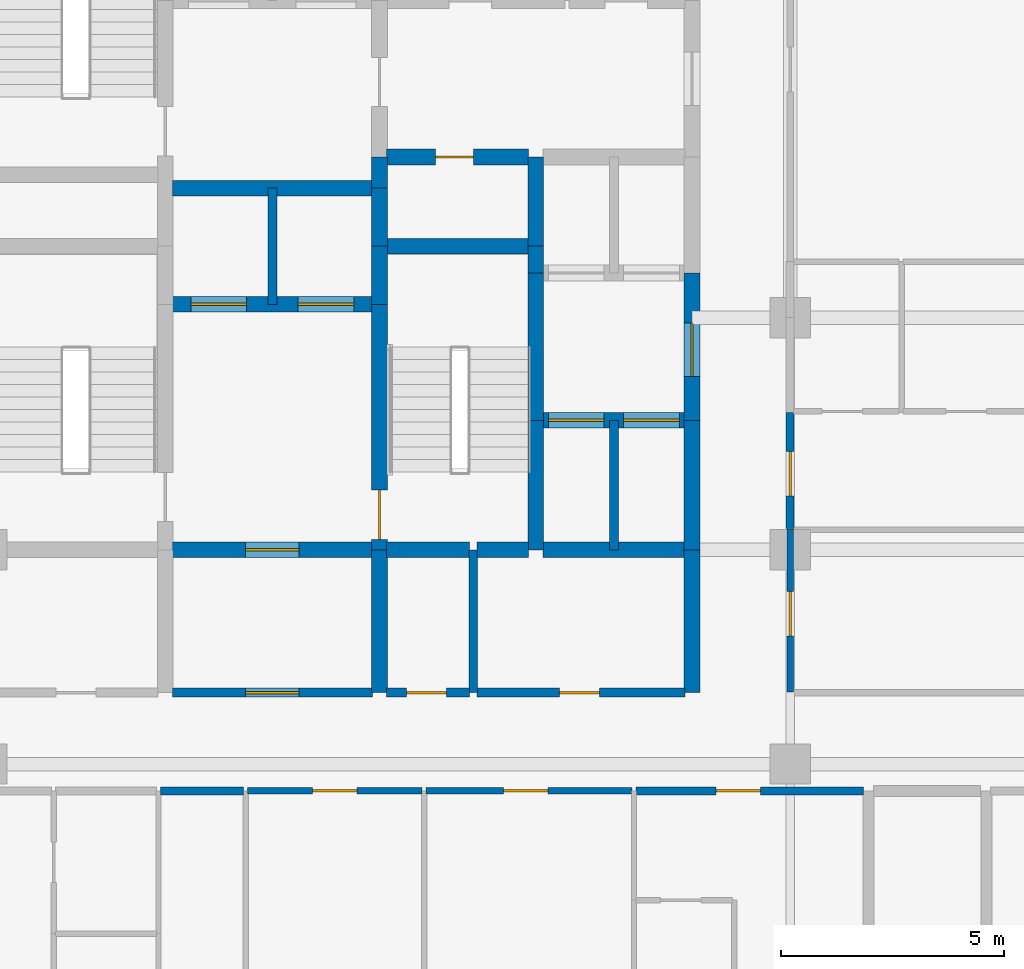
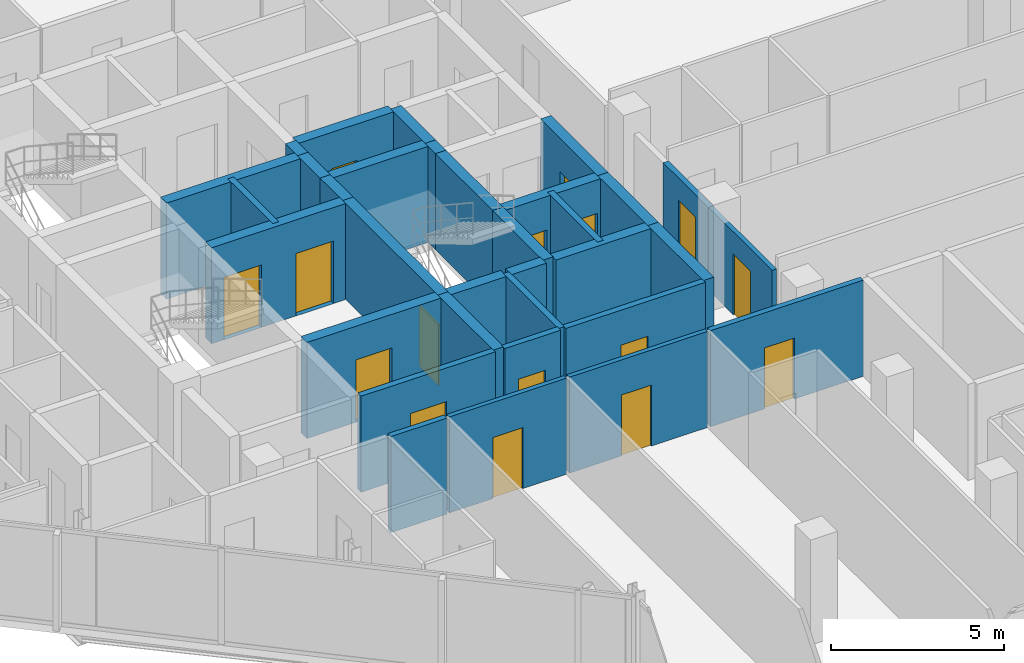
# One storey, part 26 of 31: 33 walls, 16 doors, 16 openings.
"""IFC4 building model written with IfcOpenShell, lengths in metres."""

from ifc_helpers import new_model, si_unit, direction, frame, frame_2d, origin, place, context, subcontext, project, spatial, rectangle, extrude, material, layer, layer_set, type_object, element, fill, save


model = new_model("IFC4")

# Units and contexts
model_context = context("Model", 3, precision=1e-05, world=origin(), true_north=direction((0.0, 1.0)))
body_context = subcontext(model_context, "Body", "Model", "MODEL_VIEW")
ifc_project = project(units=[si_unit("LENGTHUNIT", "METRE"), si_unit("AREAUNIT", "SQUARE_METRE"), si_unit("VOLUMEUNIT", "CUBIC_METRE"), si_unit("PLANEANGLEUNIT", "RADIAN"), si_unit("MASSUNIT", "GRAM", prefix="KILO")], contexts=[model_context])

# Site, building, storey
site_placement = place(None, origin())
site = spatial("IfcSite", under=ifc_project, at=site_placement, CompositionType="ELEMENT")
building_placement = place(site_placement, origin())
building = spatial("IfcBuilding", under=site, at=building_placement, Name="Keshet Zoharim Tower", CompositionType="ELEMENT")
storey_placement = place(building_placement, frame((0.0, 0.0, 140.89990234375)))
storey = spatial("IfcBuildingStorey", under=building, at=storey_placement, Name="L34", CompositionType="ELEMENT", Elevation=140.89990234375)

# Wall, opening, door
ifc_material_1 = material(Name="Gypsum Plasterboard", Category="gypsum")
ifc_layer_1 = layer(ifc_material_1, 0.14990234375)
ifc_layer_set_1 = layer_set([ifc_layer_1], Name="Gypsum Plasterboard")
wall_type_1 = type_object("IfcWallType", Name="WL-CLIN-150", PredefinedType="STANDARD", material=ifc_layer_set_1)
wall_1_placement = place(storey_placement, frame((33.0, 19.510009765625, 0.0), z_axis=(0.0, 0.0, 1.0), x_axis=(0.0, 1.0, 0.0)))
wall_1 = element("IfcWall", 1, at=wall_1_placement, inside=storey, type_object=wall_type_1, Name="L34 Interior Wall 069", PredefinedType="STANDARD", context=body_context, shape_type="SweptSolid", body=[
    extrude(rectangle(XDim=3.659912109375, YDim=0.14990234375, at=frame_2d((1.830078125, 0.0))), origin(), (0.0, 0.0, 1.0), 2.93505859375),
])
opening_1_placement = place(wall_1_placement, frame((1.258056640625, 0.0, 0.0)))
opening_1 = element("IfcOpeningElement", 2, at=opening_1_placement, cuts=wall_1, Name="Opening D-F310", PredefinedType="OPENING", context=body_context, shape_type="SweptSolid", body=[
    extrude(rectangle(XDim=1.0, YDim=2.14990234375, at=frame_2d((0.5, 1.074951171875))), frame((0.0, 0.0849609375, 0.0), z_axis=(0.0, -1.0, 0.0), x_axis=(1.0, 0.0, 0.0)), (0.0, 0.0, 1.0), 0.169921875),
])
ifc_material_2 = material(Name="Hardwood Timber", Category="wood")
door_type_1 = type_object("IfcDoorType", Name="DR-FD30-100", OperationType="NOTDEFINED", PredefinedType="DOOR", material=ifc_material_2)
door_1_placement = place(opening_1_placement, origin())
door_1 = element("IfcDoor", 3, at=door_1_placement, inside=storey, type_object=door_type_1, Name="L34 South East Residents Services Suite Door 2", OperationType="SINGLE_SWING_RIGHT", OverallHeight=2.14990234375, OverallWidth=1.0, PredefinedType="DOOR", context=body_context, shape_type="SweptSolid", body=[
    extrude(rectangle(XDim=1.0, YDim=2.14990234375, at=frame_2d((0.5, 1.074951171875))), frame((0.0, 0.02490234375, 0.0), z_axis=(0.0, -1.0, 0.0), x_axis=(1.0, 0.0, 0.0)), (0.0, 0.0, 1.0), 0.050048828125),
])
fill(opening_1, door_1)

wall_2_placement = place(storey_placement, frame((20.844970703125, 17.300048828125, 0.0), z_axis=(0.0, 0.0, 1.0), x_axis=(1.0, 0.0, 0.0)))
wall_2 = element("IfcWall", 4, at=wall_2_placement, inside=storey, type_object=wall_type_1, Name="L34 Interior Wall 132", PredefinedType="STANDARD", context=body_context, shape_type="SweptSolid", body=[
    extrude(rectangle(XDim=3.909912109375, YDim=0.14990234375, at=frame_2d((1.955078125, 0.0))), origin(), (0.0, 0.0, 1.0), 3.385009765625),
])
opening_2_placement = place(wall_2_placement, frame((1.455078125, 0.0, 0.0)))
opening_2 = element("IfcOpeningElement", 5, at=opening_2_placement, cuts=wall_2, Name="Opening D-F310", PredefinedType="OPENING", context=body_context, shape_type="SweptSolid", body=[
    extrude(rectangle(XDim=1.0, YDim=2.14990234375, at=frame_2d((0.5, 1.074951171875))), frame((0.0, 0.0849609375, 0.0), z_axis=(0.0, -1.0, 0.0), x_axis=(1.0, 0.0, 0.0)), (0.0, 0.0, 1.0), 0.169921875),
])
door_2_placement = place(opening_2_placement, origin())
door_2 = element("IfcDoor", 6, at=door_2_placement, inside=storey, type_object=door_type_1, Name="L34 Residents Music Studio Door", OperationType="SINGLE_SWING_RIGHT", OverallHeight=2.14990234375, OverallWidth=1.0, PredefinedType="DOOR", context=body_context, shape_type="SweptSolid", body=[
    extrude(rectangle(XDim=1.0, YDim=2.14990234375, at=frame_2d((0.5, 1.074951171875))), frame((0.0, 0.02490234375, 0.0), z_axis=(0.0, -1.0, 0.0), x_axis=(1.0, 0.0, 0.0)), (0.0, 0.0, 1.0), 0.050048828125),
])
fill(opening_2, door_2)

wall_3_placement = place(storey_placement, frame((24.844970703125, 17.300048828125, 0.0), z_axis=(0.0, 0.0, 1.0), x_axis=(1.0, 0.0, 0.0)))
wall_3 = element("IfcWall", 7, at=wall_3_placement, inside=storey, type_object=wall_type_1, Name="L34 Interior Wall 133", PredefinedType="STANDARD", context=body_context, shape_type="SweptSolid", body=[
    extrude(rectangle(XDim=4.610107421875, YDim=0.14990234375, at=frame_2d((2.30517578125, 0.0))), origin(), (0.0, 0.0, 1.0), 3.385009765625),
])
opening_3_placement = place(wall_3_placement, frame((1.73388671875, 0.0, 0.0)))
opening_3 = element("IfcOpeningElement", 8, at=opening_3_placement, cuts=wall_3, Name="Opening D-F310", PredefinedType="OPENING", context=body_context, shape_type="SweptSolid", body=[
    extrude(rectangle(XDim=1.0, YDim=2.14990234375, at=frame_2d((0.5, 1.074951171875))), frame((0.0, 0.0849609375, 0.0), z_axis=(0.0, -1.0, 0.0), x_axis=(1.0, 0.0, 0.0)), (0.0, 0.0, 1.0), 0.169921875),
])
door_3_placement = place(opening_3_placement, origin())
door_3 = element("IfcDoor", 9, at=door_3_placement, inside=storey, type_object=door_type_1, Name="L34 Residents Art Workshop Door", OperationType="SINGLE_SWING_LEFT", OverallHeight=2.14990234375, OverallWidth=1.0, PredefinedType="DOOR", context=body_context, shape_type="SweptSolid", body=[
    extrude(rectangle(XDim=1.0, YDim=2.14990234375, at=frame_2d((0.5, 1.074951171875))), frame((0.0, 0.02490234375, 0.0), z_axis=(0.0, -1.0, 0.0), x_axis=(1.0, 0.0, 0.0)), (0.0, 0.0, 1.0), 0.050048828125),
])
fill(opening_3, door_3)

# Wall
ifc_material_3 = material(Name="Concrete C60/75", Category="concrete")
ifc_layer_2 = layer(ifc_material_3, 0.35009765625)
ifc_layer_set_2 = layer_set([ifc_layer_2], Name="Concrete C60/75")
wall_type_2 = type_object("IfcWallType", Name="WL-CORE-350", PredefinedType="SHEAR", material=ifc_layer_set_2)
wall_4_placement = place(storey_placement, frame((23.800048828125, 19.5, 0.0), z_axis=(0.0, 0.0, 1.0), x_axis=(0.0, 1.0, 0.0)))
element("IfcWall", 10, at=wall_4_placement, inside=storey, type_object=wall_type_2, Name="L34 Core Shear Wall 034", PredefinedType="SHEAR", context=body_context, shape_type="SweptSolid", body=[
    extrude(rectangle(XDim=3.199951171875, YDim=0.35009765625, at=frame_2d((1.60009765625, 0.0))), origin(), (0.0, 0.0, 1.0), 3.385009765625),
])

# Wall, opening, door
wall_5_placement = place(storey_placement, frame((23.800048828125, 22.699951171875, 0.0), z_axis=(0.0, 0.0, 1.0), x_axis=(0.0, 1.0, 0.0)))
wall_5 = element("IfcWall", 11, at=wall_5_placement, inside=storey, type_object=wall_type_2, Name="L34 Core Shear Wall 035", PredefinedType="SHEAR", context=body_context, shape_type="SweptSolid", body=[
    extrude(rectangle(XDim=5.5, YDim=0.35009765625, at=frame_2d((2.75, 0.0))), origin(), (0.0, 0.0, 1.0), 3.385009765625),
])
opening_4_placement = place(wall_5_placement, frame((0.235107421875, 0.0, 0.0)))
opening_4 = element("IfcOpeningElement", 12, at=opening_4_placement, cuts=wall_5, Name="Opening D-F611", PredefinedType="OPENING", context=body_context, shape_type="SweptSolid", body=[
    extrude(rectangle(XDim=1.10009765625, YDim=2.14990234375, at=frame_2d((0.550048828125, 1.074951171875))), frame((0.0, 0.18505859375, 0.0), z_axis=(0.0, -1.0, 0.0), x_axis=(1.0, 0.0, 0.0)), (0.0, 0.0, 1.0), 0.3701171875),
])
door_type_2 = type_object("IfcDoorType", Name="DR-FD60-110", OperationType="NOTDEFINED", PredefinedType="DOOR", material=ifc_material_2)
door_4_placement = place(opening_4_placement, frame((1.10009765625, 0.0, 0.0), z_axis=(0.0, 0.0, 1.0), x_axis=(-1.0, 0.0, 0.0)))
door_4 = element("IfcDoor", 13, at=door_4_placement, inside=storey, type_object=door_type_2, Name="L34 Exit Stair ST-03 Fire Door", OperationType="SINGLE_SWING_RIGHT", OverallHeight=2.14990234375, OverallWidth=1.10009765625, PredefinedType="DOOR", context=body_context, shape_type="SweptSolid", body=[
    extrude(rectangle(XDim=1.10009765625, YDim=2.14990234375, at=frame_2d((0.550048828125, 1.074951171875))), frame((0.0, 0.02490234375, 0.0), z_axis=(0.0, -1.0, 0.0), x_axis=(1.0, 0.0, 0.0)), (0.0, 0.0, 1.0), 0.050048828125),
])
fill(opening_4, door_4)

# Walls
for number, where, z_axis, x_axis, name in (
    (14, (23.800048828125, 28.199951171875, 0.0), (0.0, 0.0, 1.0), (0.0, 1.0, 0.0), "L34 Core Shear Wall 036"),
    (15, (23.800048828125, 29.5, 0.0), (0.0, 0.0, 1.0), (0.0, 1.0, 0.0), "L34 Core Shear Wall 037"),
):
    element("IfcWall", number, at=place(storey_placement, frame(where, z_axis=z_axis, x_axis=x_axis)), inside=storey, type_object=wall_type_2, Name=name, PredefinedType="SHEAR", context=body_context, shape_type="SweptSolid", body=[
        extrude(rectangle(XDim=1.300048828125, YDim=0.35009765625, at=frame_2d((0.64990234375, 0.0))), origin(), (0.0, 0.0, 1.0), 3.385009765625),
    ])
wall_6_placement = place(storey_placement, frame((23.800048828125, 30.800048828125, 0.0), z_axis=(0.0, 0.0, 1.0), x_axis=(0.0, 1.0, 0.0)))
element("IfcWall", 16, at=wall_6_placement, inside=storey, type_object=wall_type_2, Name="L34 Core Shear Wall 038", PredefinedType="SHEAR", context=body_context, shape_type="SweptSolid", body=[
    extrude(rectangle(XDim=0.699951171875, YDim=0.35009765625, at=frame_2d((0.35009765625, 0.0))), origin(), (0.0, 0.0, 1.0), 3.385009765625),
])
wall_7_placement = place(storey_placement, frame((27.300048828125, 22.699951171875, 0.0), z_axis=(0.0, 0.0, 1.0), x_axis=(0.0, 1.0, 0.0)))
element("IfcWall", 17, at=wall_7_placement, inside=storey, type_object=wall_type_2, Name="L34 Core Shear Wall 046", PredefinedType="SHEAR", context=body_context, shape_type="SweptSolid", body=[
    extrude(rectangle(XDim=2.900146484375, YDim=0.35009765625, at=frame_2d((1.4501953125, 0.0))), origin(), (0.0, 0.0, 1.0), 3.385009765625),
])
wall_8_placement = place(storey_placement, frame((27.300048828125, 25.60009765625, 0.0), z_axis=(0.0, 0.0, 1.0), x_axis=(0.0, 1.0, 0.0)))
element("IfcWall", 18, at=wall_8_placement, inside=storey, type_object=wall_type_2, Name="L34 Core Shear Wall 047", PredefinedType="SHEAR", context=body_context, shape_type="SweptSolid", body=[
    extrude(rectangle(XDim=3.2998046875, YDim=0.35009765625, at=frame_2d((1.64990234375, 0.0))), origin(), (0.0, 0.0, 1.0), 3.385009765625),
])
wall_9_placement = place(storey_placement, frame((27.300048828125, 28.89990234375, 0.0), z_axis=(0.0, 0.0, 1.0), x_axis=(0.0, 1.0, 0.0)))
element("IfcWall", 19, at=wall_9_placement, inside=storey, type_object=wall_type_2, Name="L34 Core Shear Wall 048", PredefinedType="SHEAR", context=body_context, shape_type="SweptSolid", body=[
    extrude(rectangle(XDim=0.60009765625, YDim=0.35009765625, at=frame_2d((0.300048828125, 0.0))), origin(), (0.0, 0.0, 1.0), 3.385009765625),
])
wall_10_placement = place(storey_placement, frame((27.300048828125, 29.5, 0.0), z_axis=(0.0, 0.0, 1.0), x_axis=(0.0, 1.0, 0.0)))
element("IfcWall", 20, at=wall_10_placement, inside=storey, type_object=wall_type_2, Name="L34 Core Shear Wall 049", PredefinedType="SHEAR", context=body_context, shape_type="SweptSolid", body=[
    extrude(rectangle(XDim=2.0, YDim=0.35009765625, at=frame_2d((1.0, 0.0))), origin(), (0.0, 0.0, 1.0), 3.385009765625),
])
wall_11_placement = place(storey_placement, frame((30.800048828125, 19.5, 0.0), z_axis=(0.0, 0.0, 1.0), x_axis=(0.0, 1.0, 0.0)))
element("IfcWall", 21, at=wall_11_placement, inside=storey, type_object=wall_type_2, Name="L34 Core Shear Wall 057", PredefinedType="SHEAR", context=body_context, shape_type="SweptSolid", body=[
    extrude(rectangle(XDim=3.199951171875, YDim=0.35009765625, at=frame_2d((1.60009765625, 0.0))), origin(), (0.0, 0.0, 1.0), 3.385009765625),
])
wall_12_placement = place(storey_placement, frame((30.800048828125, 22.699951171875, 0.0), z_axis=(0.0, 0.0, 1.0), x_axis=(0.0, 1.0, 0.0)))
element("IfcWall", 22, at=wall_12_placement, inside=storey, type_object=wall_type_2, Name="L34 Core Shear Wall 058", PredefinedType="SHEAR", context=body_context, shape_type="SweptSolid", body=[
    extrude(rectangle(XDim=2.900146484375, YDim=0.35009765625, at=frame_2d((1.4501953125, 0.0))), origin(), (0.0, 0.0, 1.0), 3.385009765625),
])

# Wall, opening, door
wall_13_placement = place(storey_placement, frame((30.800048828125, 25.60009765625, 0.0), z_axis=(0.0, 0.0, 1.0), x_axis=(0.0, 1.0, 0.0)))
wall_13 = element("IfcWall", 23, at=wall_13_placement, inside=storey, type_object=wall_type_2, Name="L34 Core Shear Wall 059", PredefinedType="SHEAR", context=body_context, shape_type="SweptSolid", body=[
    extrude(rectangle(XDim=3.2998046875, YDim=0.35009765625, at=frame_2d((1.64990234375, 0.0))), origin(), (0.0, 0.0, 1.0), 3.385009765625),
])
opening_5_placement = place(wall_13_placement, frame((0.97802734375, 0.0, 0.0)))
opening_5 = element("IfcOpeningElement", 24, at=opening_5_placement, cuts=wall_13, Name="Opening D-F612", PredefinedType="OPENING", context=body_context, shape_type="SweptSolid", body=[
    extrude(rectangle(XDim=1.199951171875, YDim=2.199951171875, at=frame_2d((0.60009765625, 1.10009765625))), frame((0.0, 0.18505859375, 0.0), z_axis=(0.0, -1.0, 0.0), x_axis=(1.0, 0.0, 0.0)), (0.0, 0.0, 1.0), 0.3701171875),
])
door_type_3 = type_object("IfcDoorType", Name="DR-FD60-120", OperationType="NOTDEFINED", PredefinedType="DOOR", material=ifc_material_2)
door_5_placement = place(opening_5_placement, origin())
door_5 = element("IfcDoor", 25, at=door_5_placement, inside=storey, type_object=door_type_3, Name="L34 East Lift Lobby Fire Door", OperationType="SINGLE_SWING_RIGHT", OverallHeight=2.199951171875, OverallWidth=1.199951171875, PredefinedType="DOOR", context=body_context, shape_type="SweptSolid", body=[
    extrude(rectangle(XDim=1.199951171875, YDim=2.199951171875, at=frame_2d((0.60009765625, 1.10009765625))), frame((0.0, 0.02490234375, 0.0), z_axis=(0.0, -1.0, 0.0), x_axis=(1.0, 0.0, 0.0)), (0.0, 0.0, 1.0), 0.050048828125),
])
fill(opening_5, door_5)

wall_14_placement = place(storey_placement, frame((19.159912109375, 22.699951171875, 0.0), z_axis=(0.0, 0.0, 1.0), x_axis=(1.0, 0.0, 0.0)))
wall_14 = element("IfcWall", 26, at=wall_14_placement, inside=storey, type_object=wall_type_2, Name="L34 Core Shear Wall 152", PredefinedType="SHEAR", context=body_context, shape_type="SweptSolid", body=[
    extrude(rectangle(XDim=4.47998046875, YDim=0.35009765625, at=frame_2d((2.239990234375, 0.0))), origin(), (0.0, 0.0, 1.0), 3.385009765625),
])
opening_6_placement = place(wall_14_placement, frame((1.639892578125, 0.0, 0.0)))
opening_6 = element("IfcOpeningElement", 27, at=opening_6_placement, cuts=wall_14, Name="Opening D-F612", PredefinedType="OPENING", context=body_context, shape_type="SweptSolid", body=[
    extrude(rectangle(XDim=1.199951171875, YDim=2.199951171875, at=frame_2d((0.60009765625, 1.10009765625))), frame((0.0, 0.18505859375, 0.0), z_axis=(0.0, -1.0, 0.0), x_axis=(1.0, 0.0, 0.0)), (0.0, 0.0, 1.0), 0.3701171875),
])
door_6_placement = place(opening_6_placement, origin())
door_6 = element("IfcDoor", 28, at=door_6_placement, inside=storey, type_object=door_type_3, Name="L34 South Core Lobby Fire Door", OperationType="SINGLE_SWING_LEFT", OverallHeight=2.199951171875, OverallWidth=1.199951171875, PredefinedType="DOOR", context=body_context, shape_type="SweptSolid", body=[
    extrude(rectangle(XDim=1.199951171875, YDim=2.199951171875, at=frame_2d((0.60009765625, 1.10009765625))), frame((0.0, 0.02490234375, 0.0), z_axis=(0.0, -1.0, 0.0), x_axis=(1.0, 0.0, 0.0)), (0.0, 0.0, 1.0), 0.050048828125),
])
fill(opening_6, door_6)

# Walls
wall_15_placement = place(storey_placement, frame((23.9599609375, 22.699951171875, 0.0), z_axis=(0.0, 0.0, 1.0), x_axis=(1.0, 0.0, 0.0)))
element("IfcWall", 29, at=wall_15_placement, inside=storey, type_object=wall_type_2, Name="L34 Core Shear Wall 153", PredefinedType="SHEAR", context=body_context, shape_type="SweptSolid", body=[
    extrude(rectangle(XDim=1.85498046875, YDim=0.35009765625, at=frame_2d((0.927490234375, 0.0))), origin(), (0.0, 0.0, 1.0), 3.385009765625),
])
wall_16_placement = place(storey_placement, frame((25.985107421875, 22.699951171875, 0.0), z_axis=(0.0, 0.0, 1.0), x_axis=(1.0, 0.0, 0.0)))
element("IfcWall", 30, at=wall_16_placement, inside=storey, type_object=wall_type_2, Name="L34 Core Shear Wall 154", PredefinedType="SHEAR", context=body_context, shape_type="SweptSolid", body=[
    extrude(rectangle(XDim=1.15478515625, YDim=0.35009765625, at=frame_2d((0.577392578125, 0.0))), origin(), (0.0, 0.0, 1.0), 3.385009765625),
])
wall_17_placement = place(storey_placement, frame((27.4599609375, 22.699951171875, 0.0), z_axis=(0.0, 0.0, 1.0), x_axis=(1.0, 0.0, 0.0)))
element("IfcWall", 31, at=wall_17_placement, inside=storey, type_object=wall_type_2, Name="L34 Core Shear Wall 155", PredefinedType="SHEAR", context=body_context, shape_type="SweptSolid", body=[
    extrude(rectangle(XDim=3.179931640625, YDim=0.35009765625, at=frame_2d((1.58984375, 0.0))), origin(), (0.0, 0.0, 1.0), 3.385009765625),
])

# Wall, openings, doors
wall_18_placement = place(storey_placement, frame((27.4599609375, 25.60009765625, 0.0), z_axis=(0.0, 0.0, 1.0), x_axis=(1.0, 0.0, 0.0)))
wall_18 = element("IfcWall", 32, at=wall_18_placement, inside=storey, type_object=wall_type_2, Name="L34 Core Shear Wall 159", PredefinedType="SHEAR", context=body_context, shape_type="SweptSolid", body=[
    extrude(rectangle(XDim=3.179931640625, YDim=0.35009765625, at=frame_2d((1.58984375, 0.0))), origin(), (0.0, 0.0, 1.0), 3.385009765625),
])
opening_7_placement = place(wall_18_placement, frame((0.1201171875, 0.0, 0.0)))
opening_7 = element("IfcOpeningElement", 33, at=opening_7_placement, cuts=wall_18, Name="Opening LD-01", PredefinedType="OPENING", context=body_context, shape_type="SweptSolid", body=[
    extrude(rectangle(XDim=1.25, YDim=2.199951171875, at=frame_2d((0.625, 1.10009765625))), frame((0.0, 0.18505859375, 0.0), z_axis=(0.0, -1.0, 0.0), x_axis=(1.0, 0.0, 0.0)), (0.0, 0.0, 1.0), 0.3701171875),
])
opening_8_placement = place(wall_18_placement, frame((1.81005859375, 0.0, 0.0)))
opening_8 = element("IfcOpeningElement", 34, at=opening_8_placement, cuts=wall_18, Name="Opening LD-01", PredefinedType="OPENING", context=body_context, shape_type="SweptSolid", body=[
    extrude(rectangle(XDim=1.25, YDim=2.199951171875, at=frame_2d((0.625, 1.10009765625))), frame((0.0, 0.18505859375, 0.0), z_axis=(0.0, -1.0, 0.0), x_axis=(1.0, 0.0, 0.0)), (0.0, 0.0, 1.0), 0.3701171875),
])
ifc_material_4 = material(Name="Steel S355", Category="steel")
door_type_4 = type_object("IfcDoorType", Name="DR-LD01-125", OperationType="DOUBLE_DOOR_SLIDING", PredefinedType="DOOR", material=ifc_material_4)
door_7_placement = place(opening_7_placement, origin())
door_7 = element("IfcDoor", 35, at=door_7_placement, inside=storey, type_object=door_type_4, Name="L34 Passenger Lift Landing Door LF-07", OperationType="DOUBLE_DOOR_SLIDING", OverallHeight=2.199951171875, OverallWidth=1.25, PredefinedType="DOOR", context=body_context, shape_type="SweptSolid", body=[
    extrude(rectangle(XDim=1.25, YDim=2.199951171875, at=frame_2d((0.625, 1.10009765625))), frame((0.0, 0.02490234375, 0.0), z_axis=(0.0, -1.0, 0.0), x_axis=(1.0, 0.0, 0.0)), (0.0, 0.0, 1.0), 0.050048828125),
])
fill(opening_7, door_7)
door_8_placement = place(opening_8_placement, origin())
door_8 = element("IfcDoor", 36, at=door_8_placement, inside=storey, type_object=door_type_4, Name="L34 Passenger Lift Landing Door LF-08", OperationType="DOUBLE_DOOR_SLIDING", OverallHeight=2.199951171875, OverallWidth=1.25, PredefinedType="DOOR", context=body_context, shape_type="SweptSolid", body=[
    extrude(rectangle(XDim=1.25, YDim=2.199951171875, at=frame_2d((0.625, 1.10009765625))), frame((0.0, 0.02490234375, 0.0), z_axis=(0.0, -1.0, 0.0), x_axis=(1.0, 0.0, 0.0)), (0.0, 0.0, 1.0), 0.050048828125),
])
fill(opening_8, door_8)

wall_19_placement = place(storey_placement, frame((19.159912109375, 28.199951171875, 0.0), z_axis=(0.0, 0.0, 1.0), x_axis=(1.0, 0.0, 0.0)))
wall_19 = element("IfcWall", 37, at=wall_19_placement, inside=storey, type_object=wall_type_2, Name="L34 Core Shear Wall 165", PredefinedType="SHEAR", context=body_context, shape_type="SweptSolid", body=[
    extrude(rectangle(XDim=4.47998046875, YDim=0.35009765625, at=frame_2d((2.239990234375, 0.0))), origin(), (0.0, 0.0, 1.0), 3.385009765625),
])
opening_9_placement = place(wall_19_placement, frame((0.4150390625, 0.0, 0.0)))
opening_9 = element("IfcOpeningElement", 38, at=opening_9_placement, cuts=wall_19, Name="Opening LD-01", PredefinedType="OPENING", context=body_context, shape_type="SweptSolid", body=[
    extrude(rectangle(XDim=1.25, YDim=2.199951171875, at=frame_2d((0.625, 1.10009765625))), frame((0.0, 0.18505859375, 0.0), z_axis=(0.0, -1.0, 0.0), x_axis=(1.0, 0.0, 0.0)), (0.0, 0.0, 1.0), 0.3701171875),
])
opening_10_placement = place(wall_19_placement, frame((2.81494140625, 0.0, 0.0)))
opening_10 = element("IfcOpeningElement", 39, at=opening_10_placement, cuts=wall_19, Name="Opening LD-01", PredefinedType="OPENING", context=body_context, shape_type="SweptSolid", body=[
    extrude(rectangle(XDim=1.25, YDim=2.199951171875, at=frame_2d((0.625, 1.10009765625))), frame((0.0, 0.18505859375, 0.0), z_axis=(0.0, -1.0, 0.0), x_axis=(1.0, 0.0, 0.0)), (0.0, 0.0, 1.0), 0.3701171875),
])
door_9_placement = place(opening_9_placement, origin())
door_9 = element("IfcDoor", 40, at=door_9_placement, inside=storey, type_object=door_type_4, Name="L34 Passenger Lift Landing Door LF-09", OperationType="DOUBLE_DOOR_SLIDING", OverallHeight=2.199951171875, OverallWidth=1.25, PredefinedType="DOOR", context=body_context, shape_type="SweptSolid", body=[
    extrude(rectangle(XDim=1.25, YDim=2.199951171875, at=frame_2d((0.625, 1.10009765625))), frame((0.0, 0.02490234375, 0.0), z_axis=(0.0, -1.0, 0.0), x_axis=(1.0, 0.0, 0.0)), (0.0, 0.0, 1.0), 0.050048828125),
])
fill(opening_9, door_9)
door_10_placement = place(opening_10_placement, origin())
door_10 = element("IfcDoor", 41, at=door_10_placement, inside=storey, type_object=door_type_4, Name="L34 Passenger Lift Landing Door LF-10", OperationType="DOUBLE_DOOR_SLIDING", OverallHeight=2.199951171875, OverallWidth=1.25, PredefinedType="DOOR", context=body_context, shape_type="SweptSolid", body=[
    extrude(rectangle(XDim=1.25, YDim=2.199951171875, at=frame_2d((0.625, 1.10009765625))), frame((0.0, 0.02490234375, 0.0), z_axis=(0.0, -1.0, 0.0), x_axis=(1.0, 0.0, 0.0)), (0.0, 0.0, 1.0), 0.050048828125),
])
fill(opening_10, door_10)

# Walls
wall_20_placement = place(storey_placement, frame((23.9599609375, 29.5, 0.0), z_axis=(0.0, 0.0, 1.0), x_axis=(1.0, 0.0, 0.0)))
element("IfcWall", 42, at=wall_20_placement, inside=storey, type_object=wall_type_2, Name="L34 Core Shear Wall 175", PredefinedType="SHEAR", context=body_context, shape_type="SweptSolid", body=[
    extrude(rectangle(XDim=3.179931640625, YDim=0.35009765625, at=frame_2d((1.58984375, 0.0))), origin(), (0.0, 0.0, 1.0), 3.385009765625),
])
wall_21_placement = place(storey_placement, frame((19.159912109375, 30.800048828125, 0.0), z_axis=(0.0, 0.0, 1.0), x_axis=(1.0, 0.0, 0.0)))
element("IfcWall", 43, at=wall_21_placement, inside=storey, type_object=wall_type_2, Name="L34 Core Shear Wall 176", PredefinedType="SHEAR", context=body_context, shape_type="SweptSolid", body=[
    extrude(rectangle(XDim=4.47998046875, YDim=0.35009765625, at=frame_2d((2.239990234375, 0.0))), origin(), (0.0, 0.0, 1.0), 3.385009765625),
])

# Wall, opening, door
wall_22_placement = place(storey_placement, frame((23.9599609375, 31.5, 0.0), z_axis=(0.0, 0.0, 1.0), x_axis=(1.0, 0.0, 0.0)))
wall_22 = element("IfcWall", 44, at=wall_22_placement, inside=storey, type_object=wall_type_2, Name="L34 Core Shear Wall 180", PredefinedType="SHEAR", context=body_context, shape_type="SweptSolid", body=[
    extrude(rectangle(XDim=3.179931640625, YDim=0.35009765625, at=frame_2d((1.58984375, 0.0))), origin(), (0.0, 0.0, 1.0), 3.385009765625),
])
opening_11_placement = place(wall_22_placement, frame((1.093994140625, 0.0, 0.0)))
opening_11 = element("IfcOpeningElement", 45, at=opening_11_placement, cuts=wall_22, Name="Opening D-RS85", PredefinedType="OPENING", context=body_context, shape_type="SweptSolid", body=[
    extrude(rectangle(XDim=0.85009765625, YDim=2.10009765625, at=frame_2d((0.425048828125, 1.050048828125))), frame((0.0, 0.18505859375, 0.0), z_axis=(0.0, -1.0, 0.0), x_axis=(1.0, 0.0, 0.0)), (0.0, 0.0, 1.0), 0.3701171875),
])
door_type_5 = type_object("IfcDoorType", Name="DR-RIS-085", OperationType="NOTDEFINED", PredefinedType="DOOR", material=ifc_material_2)
door_11_placement = place(opening_11_placement, origin())
door_11 = element("IfcDoor", 46, at=door_11_placement, inside=storey, type_object=door_type_5, Name="L34 Telecom Riser Access Cupboard Door", OperationType="SINGLE_SWING_RIGHT", OverallHeight=2.10009765625, OverallWidth=0.85009765625, PredefinedType="DOOR", context=body_context, shape_type="SweptSolid", body=[
    extrude(rectangle(XDim=0.85009765625, YDim=2.10009765625, at=frame_2d((0.425048828125, 1.050048828125))), frame((0.0, 0.02490234375, 0.0), z_axis=(0.0, -1.0, 0.0), x_axis=(1.0, 0.0, 0.0)), (0.0, 0.0, 1.0), 0.050048828125),
])
fill(opening_11, door_11)

ifc_layer_3 = layer(ifc_material_1, 0.179931640625)
ifc_layer_set_3 = layer_set([ifc_layer_3], Name="Gypsum Plasterboard")
wall_type_3 = type_object("IfcWallType", Name="WL-CORR-180", PredefinedType="STANDARD", material=ifc_layer_set_3)
wall_23_placement = place(storey_placement, frame((33.0, 23.179931640625, 0.0), z_axis=(0.0, 0.0, 1.0), x_axis=(0.0, 1.0, 0.0)))
wall_23 = element("IfcWall", 47, at=wall_23_placement, inside=storey, type_object=wall_type_3, Name="L34 Interior Wall 070", PredefinedType="STANDARD", context=body_context, shape_type="SweptSolid", body=[
    extrude(rectangle(XDim=2.60009765625, YDim=0.179931640625, at=frame_2d((1.300048828125, 0.0))), origin(), (0.0, 0.0, 1.0), 2.93505859375),
])
opening_12_placement = place(wall_23_placement, frame((0.722900390625, 0.0, 0.0)))
opening_12 = element("IfcOpeningElement", 48, at=opening_12_placement, cuts=wall_23, Name="Opening D-F310", PredefinedType="OPENING", context=body_context, shape_type="SweptSolid", body=[
    extrude(rectangle(XDim=1.0, YDim=2.14990234375, at=frame_2d((0.5, 1.074951171875))), frame((0.0, 0.10009765625, 0.0), z_axis=(0.0, -1.0, 0.0), x_axis=(1.0, 0.0, 0.0)), (0.0, 0.0, 1.0), 0.199951171875),
])
door_12_placement = place(opening_12_placement, origin())
door_12 = element("IfcDoor", 49, at=door_12_placement, inside=storey, type_object=door_type_1, Name="Apartment 3409 Entrance Door", OperationType="SINGLE_SWING_LEFT", OverallHeight=2.14990234375, OverallWidth=1.0, PredefinedType="DOOR", context=body_context, shape_type="SweptSolid", body=[
    extrude(rectangle(XDim=1.0, YDim=2.14990234375, at=frame_2d((0.5, 1.074951171875))), frame((0.0, 0.02490234375, 0.0), z_axis=(0.0, -1.0, 0.0), x_axis=(1.0, 0.0, 0.0)), (0.0, 0.0, 1.0), 0.050048828125),
])
fill(opening_12, door_12)

# Wall
wall_24_placement = place(storey_placement, frame((18.89501953125, 17.300048828125, 0.0), z_axis=(0.0, 0.0, 1.0), x_axis=(1.0, 0.0, 0.0)))
element("IfcWall", 50, at=wall_24_placement, inside=storey, type_object=wall_type_3, Name="L34 Interior Wall 131", PredefinedType="STANDARD", context=body_context, shape_type="SweptSolid", body=[
    extrude(rectangle(XDim=1.85986328125, YDim=0.179931640625, at=frame_2d((0.929931640625, 0.0))), origin(), (0.0, 0.0, 1.0), 3.385009765625),
])

# Wall, opening, door
wall_25_placement = place(storey_placement, frame((29.544921875, 17.300048828125, 0.0), z_axis=(0.0, 0.0, 1.0), x_axis=(1.0, 0.0, 0.0)))
wall_25 = element("IfcWall", 51, at=wall_25_placement, inside=storey, type_object=wall_type_3, Name="L34 Interior Wall 134", PredefinedType="STANDARD", context=body_context, shape_type="SweptSolid", body=[
    extrude(rectangle(XDim=5.094970703125, YDim=0.179931640625, at=frame_2d((2.54736328125, 0.0))), origin(), (0.0, 0.0, 1.0), 3.385009765625),
])
opening_13_placement = place(wall_25_placement, frame((1.7919921875, 0.0, 0.0)))
opening_13 = element("IfcOpeningElement", 52, at=opening_13_placement, cuts=wall_25, Name="Opening D-F310", PredefinedType="OPENING", context=body_context, shape_type="SweptSolid", body=[
    extrude(rectangle(XDim=1.0, YDim=2.14990234375, at=frame_2d((0.5, 1.074951171875))), frame((0.0, 0.10009765625, 0.0), z_axis=(0.0, -1.0, 0.0), x_axis=(1.0, 0.0, 0.0)), (0.0, 0.0, 1.0), 0.199951171875),
])
door_13_placement = place(opening_13_placement, origin())
door_13 = element("IfcDoor", 53, at=door_13_placement, inside=storey, type_object=door_type_1, Name="Apartment 3402 Entrance Door", OperationType="SINGLE_SWING_RIGHT", OverallHeight=2.14990234375, OverallWidth=1.0, PredefinedType="DOOR", context=body_context, shape_type="SweptSolid", body=[
    extrude(rectangle(XDim=1.0, YDim=2.14990234375, at=frame_2d((0.5, 1.074951171875))), frame((0.0, 0.02490234375, 0.0), z_axis=(0.0, -1.0, 0.0), x_axis=(1.0, 0.0, 0.0)), (0.0, 0.0, 1.0), 0.050048828125),
])
fill(opening_13, door_13)

# Walls
ifc_material_5 = material(Name="Concrete C50/60", Category="concrete")
ifc_layer_4 = layer(ifc_material_5, 0.199951171875)
ifc_layer_set_4 = layer_set([ifc_layer_4], Name="Concrete C50/60")
wall_type_4 = type_object("IfcWallType", Name="WL-FIRE-200", PredefinedType="STANDARD", material=ifc_layer_set_4)
wall_26_placement = place(storey_placement, frame((21.39990234375, 28.199951171875, 0.0), z_axis=(0.0, 0.0, 1.0), x_axis=(0.0, 1.0, 0.0)))
element("IfcWall", 54, at=wall_26_placement, inside=storey, type_object=wall_type_4, Name="L34 Interior Wall 032", PredefinedType="STANDARD", context=body_context, shape_type="SweptSolid", body=[
    extrude(rectangle(XDim=2.60009765625, YDim=0.199951171875, at=frame_2d((1.300048828125, 0.0))), origin(), (0.0, 0.0, 1.0), 3.385009765625),
])
wall_27_placement = place(storey_placement, frame((25.89990234375, 19.5, 0.0), z_axis=(0.0, 0.0, 1.0), x_axis=(0.0, 1.0, 0.0)))
element("IfcWall", 55, at=wall_27_placement, inside=storey, type_object=wall_type_4, Name="L34 Interior Wall 045", PredefinedType="STANDARD", context=body_context, shape_type="SweptSolid", body=[
    extrude(rectangle(XDim=3.199951171875, YDim=0.199951171875, at=frame_2d((1.60009765625, 0.0))), origin(), (0.0, 0.0, 1.0), 3.385009765625),
])
wall_28_placement = place(storey_placement, frame((29.050048828125, 22.699951171875, 0.0), z_axis=(0.0, 0.0, 1.0), x_axis=(0.0, 1.0, 0.0)))
element("IfcWall", 56, at=wall_28_placement, inside=storey, type_object=wall_type_4, Name="L34 Interior Wall 053", PredefinedType="STANDARD", context=body_context, shape_type="SweptSolid", body=[
    extrude(rectangle(XDim=2.900146484375, YDim=0.199951171875, at=frame_2d((1.4501953125, 0.0))), origin(), (0.0, 0.0, 1.0), 3.385009765625),
])

# Wall, opening, door
wall_29_placement = place(storey_placement, frame((19.159912109375, 19.5, 0.0), z_axis=(0.0, 0.0, 1.0), x_axis=(1.0, 0.0, 0.0)))
wall_29 = element("IfcWall", 57, at=wall_29_placement, inside=storey, type_object=wall_type_4, Name="L34 Interior Wall 144", PredefinedType="STANDARD", context=body_context, shape_type="SweptSolid", body=[
    extrude(rectangle(XDim=4.47998046875, YDim=0.199951171875, at=frame_2d((2.239990234375, 0.0))), origin(), (0.0, 0.0, 1.0), 3.385009765625),
])
opening_14_placement = place(wall_29_placement, frame((1.639892578125, 0.0, 0.0)))
opening_14 = element("IfcOpeningElement", 58, at=opening_14_placement, cuts=wall_29, Name="Opening D-F612", PredefinedType="OPENING", context=body_context, shape_type="SweptSolid", body=[
    extrude(rectangle(XDim=1.199951171875, YDim=2.199951171875, at=frame_2d((0.60009765625, 1.10009765625))), frame((0.0, 0.10986328125, 0.0), z_axis=(0.0, -1.0, 0.0), x_axis=(1.0, 0.0, 0.0)), (0.0, 0.0, 1.0), 0.219970703125),
])
door_14_placement = place(opening_14_placement, origin())
door_14 = element("IfcDoor", 59, at=door_14_placement, inside=storey, type_object=door_type_3, Name="L34 South Vestibule Corridor Door", OperationType="SINGLE_SWING_LEFT", OverallHeight=2.199951171875, OverallWidth=1.199951171875, PredefinedType="DOOR", context=body_context, shape_type="SweptSolid", body=[
    extrude(rectangle(XDim=1.199951171875, YDim=2.199951171875, at=frame_2d((0.60009765625, 1.10009765625))), frame((0.0, 0.02490234375, 0.0), z_axis=(0.0, -1.0, 0.0), x_axis=(1.0, 0.0, 0.0)), (0.0, 0.0, 1.0), 0.050048828125),
])
fill(opening_14, door_14)

wall_30_placement = place(storey_placement, frame((23.9599609375, 19.5, 0.0), z_axis=(0.0, 0.0, 1.0), x_axis=(1.0, 0.0, 0.0)))
wall_30 = element("IfcWall", 60, at=wall_30_placement, inside=storey, type_object=wall_type_4, Name="L34 Interior Wall 145", PredefinedType="STANDARD", context=body_context, shape_type="SweptSolid", body=[
    extrude(rectangle(XDim=1.85498046875, YDim=0.199951171875, at=frame_2d((0.927490234375, 0.0))), origin(), (0.0, 0.0, 1.0), 3.385009765625),
])
opening_15_placement = place(wall_30_placement, frame((0.43994140625, 0.0, 0.0)))
opening_15 = element("IfcOpeningElement", 61, at=opening_15_placement, cuts=wall_30, Name="Opening D-F690", PredefinedType="OPENING", context=body_context, shape_type="SweptSolid", body=[
    extrude(rectangle(XDim=0.89990234375, YDim=2.14990234375, at=frame_2d((0.449951171875, 1.074951171875))), frame((0.0, 0.10986328125, 0.0), z_axis=(0.0, -1.0, 0.0), x_axis=(1.0, 0.0, 0.0)), (0.0, 0.0, 1.0), 0.219970703125),
])
door_type_6 = type_object("IfcDoorType", Name="DR-FD60-090", OperationType="NOTDEFINED", PredefinedType="DOOR", material=ifc_material_2)
door_15_placement = place(opening_15_placement, origin())
door_15 = element("IfcDoor", 62, at=door_15_placement, inside=storey, type_object=door_type_6, Name="L34 Cleaners Store Door", OperationType="SINGLE_SWING_RIGHT", OverallHeight=2.14990234375, OverallWidth=0.89990234375, PredefinedType="DOOR", context=body_context, shape_type="SweptSolid", body=[
    extrude(rectangle(XDim=0.89990234375, YDim=2.14990234375, at=frame_2d((0.449951171875, 1.074951171875))), frame((0.0, 0.02490234375, 0.0), z_axis=(0.0, -1.0, 0.0), x_axis=(1.0, 0.0, 0.0)), (0.0, 0.0, 1.0), 0.050048828125),
])
fill(opening_15, door_15)

wall_31_placement = place(storey_placement, frame((25.985107421875, 19.5, 0.0), z_axis=(0.0, 0.0, 1.0), x_axis=(1.0, 0.0, 0.0)))
wall_31 = element("IfcWall", 63, at=wall_31_placement, inside=storey, type_object=wall_type_4, Name="L34 Interior Wall 146", PredefinedType="STANDARD", context=body_context, shape_type="SweptSolid", body=[
    extrude(rectangle(XDim=4.65478515625, YDim=0.199951171875, at=frame_2d((2.327392578125, 0.0))), origin(), (0.0, 0.0, 1.0), 3.385009765625),
])
opening_16_placement = place(wall_31_placement, frame((1.844970703125, 0.0, 0.0)))
opening_16 = element("IfcOpeningElement", 64, at=opening_16_placement, cuts=wall_31, Name="Opening D-F690", PredefinedType="OPENING", context=body_context, shape_type="SweptSolid", body=[
    extrude(rectangle(XDim=0.89990234375, YDim=2.14990234375, at=frame_2d((0.449951171875, 1.074951171875))), frame((0.0, 0.10986328125, 0.0), z_axis=(0.0, -1.0, 0.0), x_axis=(1.0, 0.0, 0.0)), (0.0, 0.0, 1.0), 0.219970703125),
])
door_16_placement = place(opening_16_placement, origin())
door_16 = element("IfcDoor", 65, at=door_16_placement, inside=storey, type_object=door_type_6, Name="L34 Meter Room Door", OperationType="SINGLE_SWING_LEFT", OverallHeight=2.14990234375, OverallWidth=0.89990234375, PredefinedType="DOOR", context=body_context, shape_type="SweptSolid", body=[
    extrude(rectangle(XDim=0.89990234375, YDim=2.14990234375, at=frame_2d((0.449951171875, 1.074951171875))), frame((0.0, 0.02490234375, 0.0), z_axis=(0.0, -1.0, 0.0), x_axis=(1.0, 0.0, 0.0)), (0.0, 0.0, 1.0), 0.050048828125),
])
fill(opening_16, door_16)

save(model, "model.ifc")
